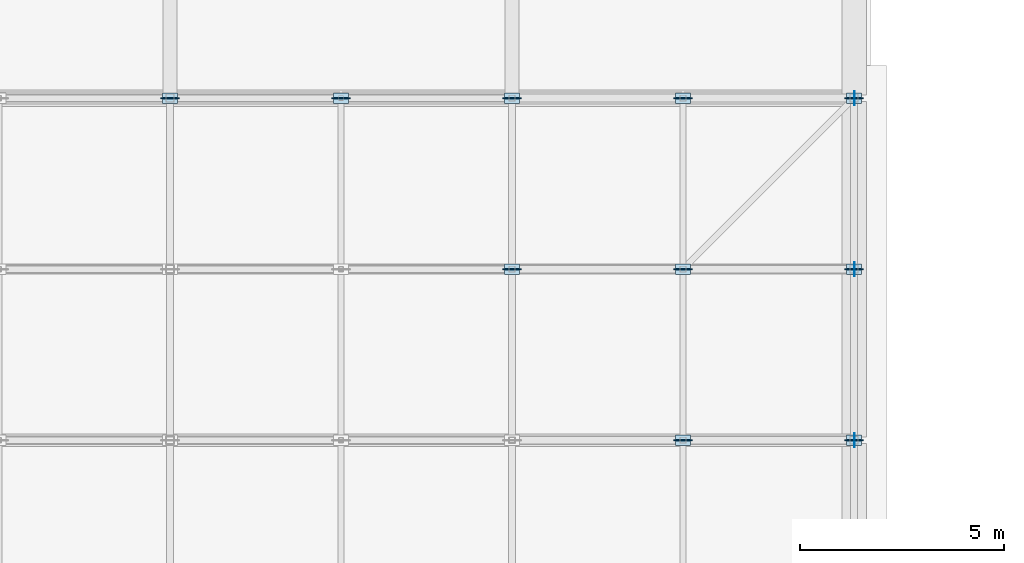
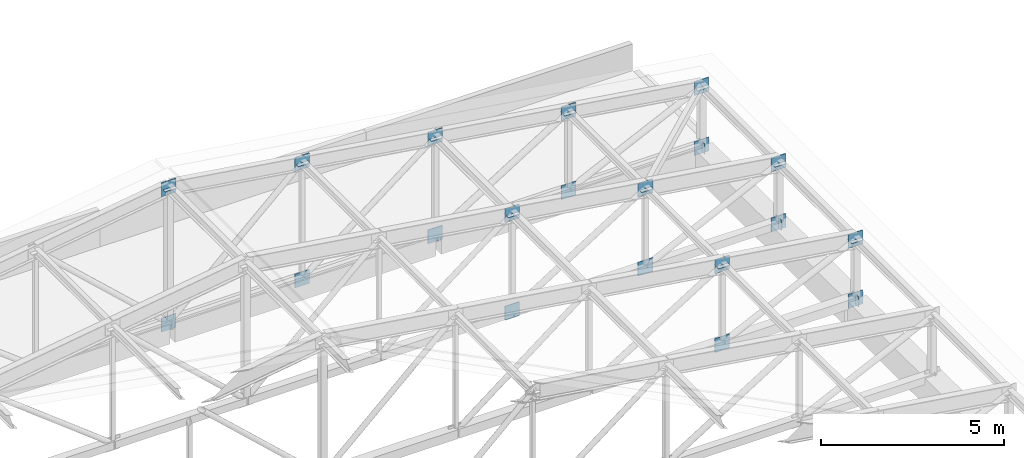
# One storey, part 52 of 122: 33 plates.
"""IFC4 building model written with IfcOpenShell, lengths in metres."""

from ifc_helpers import new_model, si_unit, direction, frame, origin, origin_2d, place, context, subcontext, project, spatial, rectangle, extrude, material, layer, layer_set, type_object, element, save


model = new_model("IFC4")

# Units and contexts
model_context = context("Model", 3, precision=1e-05, world=origin(), true_north=direction((0.0, 1.0)))
body_context = subcontext(model_context, "Body", "Model", "MODEL_VIEW")
ifc_project = project(units=[si_unit("LENGTHUNIT", "METRE"), si_unit("AREAUNIT", "SQUARE_METRE"), si_unit("VOLUMEUNIT", "CUBIC_METRE"), si_unit("PLANEANGLEUNIT", "RADIAN"), si_unit("MASSUNIT", "GRAM", prefix="KILO")], contexts=[model_context])

# Site, building, storey
site_placement = place(None, origin())
site = spatial("IfcSite", under=ifc_project, at=site_placement, CompositionType="ELEMENT")
building_placement = place(site_placement, origin())
building = spatial("IfcBuilding", under=site, at=building_placement, Name="Telukmera Botanical Conservatory", CompositionType="ELEMENT")
storey_placement = place(building_placement, frame((0.0, 0.0, 10.199951171875)))
storey = spatial("IfcBuildingStorey", under=building, at=storey_placement, Name="L02", CompositionType="ELEMENT", Elevation=10.199951171875)

# Plates
ifc_material = material(Name="Steel S355", Category="steel")
ifc_layer_1 = layer(ifc_material, 0.01611328125)
ifc_layer_set_1 = layer_set([ifc_layer_1], Name="Steel S355")
plate_type_1 = type_object("IfcPlateType", Name="Plate_CP1", PredefinedType="USERDEFINED", material=ifc_layer_set_1)
for number, where, z_axis, x_axis, name in (
    (1, (37.800048828125, 108.39990234375, 2.521728515625), (0.0, 0.0, 1.0), (1.0, 0.0, 0.0), "CP1 Truss Chord Node Cap Plate T7-T7"),
    (2, (42.0, 108.39990234375, 1.89404296875), (0.0, 0.0, 1.0), (1.0, 0.0, 0.0), "CP1 Truss Chord Node Cap Plate T7-T8"),
):
    element("IfcPlate", number, at=place(storey_placement, frame(where, z_axis=z_axis, x_axis=x_axis)), inside=storey, type_object=plate_type_1, Name=name, ObjectType="CAP_PLATE", PredefinedType="USERDEFINED", context=body_context, shape_type="SweptSolid", body=[
        extrude(rectangle(XDim=0.360107421875, YDim=0.260009765625, at=origin_2d()), origin(), (0.0, 0.0, 1.0), 0.01611328125),
    ])
plate_1_placement = place(storey_placement, frame((42.008056640625, 108.39990234375, -0.25), z_axis=(0.0, 0.0, 1.0), x_axis=(1.0, 0.0, 0.0)))
element("IfcPlate", 3, at=plate_1_placement, inside=storey, type_object=plate_type_1, Name="CP1 Truss Bottom Chord End Cap T7-E", ObjectType="CAP_PLATE", PredefinedType="USERDEFINED", context=body_context, shape_type="SweptSolid", body=[
    extrude(rectangle(XDim=0.01611328125, YDim=0.340087890625, at=origin_2d()), origin(), (0.0, 0.0, 1.0), 0.340087890625),
])
for number, where, z_axis, x_axis, name in (
    (4, (33.60009765625, 112.60009765625, 3.1494140625), (0.0, 0.0, 1.0), (1.0, 0.0, 0.0), "CP1 Truss Chord Node Cap Plate T8-T6"),
    (5, (37.800048828125, 112.60009765625, 2.521728515625), (0.0, 0.0, 1.0), (1.0, 0.0, 0.0), "CP1 Truss Chord Node Cap Plate T8-T7"),
    (6, (42.0, 112.60009765625, 1.89404296875), (0.0, 0.0, 1.0), (1.0, 0.0, 0.0), "CP1 Truss Chord Node Cap Plate T8-T8"),
):
    element("IfcPlate", number, at=place(storey_placement, frame(where, z_axis=z_axis, x_axis=x_axis)), inside=storey, type_object=plate_type_1, Name=name, ObjectType="CAP_PLATE", PredefinedType="USERDEFINED", context=body_context, shape_type="SweptSolid", body=[
        extrude(rectangle(XDim=0.360107421875, YDim=0.260009765625, at=origin_2d()), origin(), (0.0, 0.0, 1.0), 0.01611328125),
    ])
plate_2_placement = place(storey_placement, frame((42.008056640625, 112.60009765625, -0.25), z_axis=(0.0, 0.0, 1.0), x_axis=(1.0, 0.0, 0.0)))
element("IfcPlate", 7, at=plate_2_placement, inside=storey, type_object=plate_type_1, Name="CP1 Truss Bottom Chord End Cap T8-E", ObjectType="CAP_PLATE", PredefinedType="USERDEFINED", context=body_context, shape_type="SweptSolid", body=[
    extrude(rectangle(XDim=0.01611328125, YDim=0.340087890625, at=origin_2d()), origin(), (0.0, 0.0, 1.0), 0.340087890625),
])
for number, where, z_axis, x_axis, name in (
    (8, (25.199951171875, 116.800048828125, 4.40478515625), (0.0, 0.0, 1.0), (1.0, 0.0, 0.0), "CP1 Truss Chord Node Cap Plate T9-T4"),
    (9, (29.39990234375, 116.800048828125, 3.777099609375), (0.0, 0.0, 1.0), (1.0, 0.0, 0.0), "CP1 Truss Chord Node Cap Plate T9-T5"),
    (10, (33.60009765625, 116.800048828125, 3.1494140625), (0.0, 0.0, 1.0), (1.0, 0.0, 0.0), "CP1 Truss Chord Node Cap Plate T9-T6"),
    (11, (37.800048828125, 116.800048828125, 2.521728515625), (0.0, 0.0, 1.0), (1.0, 0.0, 0.0), "CP1 Truss Chord Node Cap Plate T9-T7"),
    (12, (42.0, 116.800048828125, 1.89404296875), (0.0, 0.0, 1.0), (1.0, 0.0, 0.0), "CP1 Truss Chord Node Cap Plate T9-T8"),
):
    element("IfcPlate", number, at=place(storey_placement, frame(where, z_axis=z_axis, x_axis=x_axis)), inside=storey, type_object=plate_type_1, Name=name, ObjectType="CAP_PLATE", PredefinedType="USERDEFINED", context=body_context, shape_type="SweptSolid", body=[
        extrude(rectangle(XDim=0.360107421875, YDim=0.260009765625, at=origin_2d()), origin(), (0.0, 0.0, 1.0), 0.01611328125),
    ])
plate_3_placement = place(storey_placement, frame((42.008056640625, 116.800048828125, -0.25), z_axis=(0.0, 0.0, 1.0), x_axis=(1.0, 0.0, 0.0)))
element("IfcPlate", 13, at=plate_3_placement, inside=storey, type_object=plate_type_1, Name="CP1 Truss Bottom Chord End Cap T9-E", ObjectType="CAP_PLATE", PredefinedType="USERDEFINED", context=body_context, shape_type="SweptSolid", body=[
    extrude(rectangle(XDim=0.01611328125, YDim=0.340087890625, at=origin_2d()), origin(), (0.0, 0.0, 1.0), 0.340087890625),
])
ifc_layer_2 = layer(ifc_material, 0.028076171875)
ifc_layer_set_2 = layer_set([ifc_layer_2], Name="Steel S355")
plate_type_2 = type_object("IfcPlateType", Name="Plate_TP1", PredefinedType="USERDEFINED", material=ifc_layer_set_2)
for number, where, z_axis, x_axis, name in (
    (14, (37.800048828125, 108.39990234375, -0.309814453125), (0.0, 0.0, 1.0), (1.0, 0.0, 0.0), "TP1 Auditorium Truss Welded Node T7-B7"),
    (15, (37.800048828125, 108.39990234375, 2.31787109375), (0.0, 0.0, 1.0), (1.0, 0.0, 0.0), "TP1 Auditorium Truss Welded Node T7-T7"),
    (16, (42.0, 108.39990234375, -0.309814453125), (0.0, 0.0, 1.0), (1.0, 0.0, 0.0), "TP1 Auditorium Truss Welded Node T7-B8"),
    (17, (42.0, 108.39990234375, 1.690185546875), (0.0, 0.0, 1.0), (1.0, 0.0, 0.0), "TP1 Auditorium Truss Welded Node T7-T8"),
    (18, (33.60009765625, 112.60009765625, -0.309814453125), (0.0, 0.0, 1.0), (1.0, 0.0, 0.0), "TP1 Auditorium Truss Welded Node T8-B6"),
    (19, (33.60009765625, 112.60009765625, 2.945556640625), (0.0, 0.0, 1.0), (1.0, 0.0, 0.0), "TP1 Auditorium Truss Welded Node T8-T6"),
    (20, (37.800048828125, 112.60009765625, -0.309814453125), (0.0, 0.0, 1.0), (1.0, 0.0, 0.0), "TP1 Auditorium Truss Welded Node T8-B7"),
    (21, (37.800048828125, 112.60009765625, 2.31787109375), (0.0, 0.0, 1.0), (1.0, 0.0, 0.0), "TP1 Auditorium Truss Welded Node T8-T7"),
    (22, (42.0, 112.60009765625, -0.309814453125), (0.0, 0.0, 1.0), (1.0, 0.0, 0.0), "TP1 Auditorium Truss Welded Node T8-B8"),
    (23, (42.0, 112.60009765625, 1.690185546875), (0.0, 0.0, 1.0), (1.0, 0.0, 0.0), "TP1 Auditorium Truss Welded Node T8-T8"),
    (24, (25.199951171875, 116.800048828125, -0.309814453125), (0.0, 0.0, 1.0), (1.0, 0.0, 0.0), "TP1 Auditorium Truss Welded Node T9-B4"),
    (25, (25.199951171875, 116.800048828125, 4.200927734375), (0.0, 0.0, 1.0), (1.0, 0.0, 0.0), "TP1 Auditorium Truss Welded Node T9-T4"),
    (26, (29.39990234375, 116.800048828125, -0.309814453125), (0.0, 0.0, 1.0), (1.0, 0.0, 0.0), "TP1 Auditorium Truss Welded Node T9-B5"),
    (27, (29.39990234375, 116.800048828125, 3.5732421875), (0.0, 0.0, 1.0), (1.0, 0.0, 0.0), "TP1 Auditorium Truss Welded Node T9-T5"),
    (28, (33.60009765625, 116.800048828125, -0.309814453125), (0.0, 0.0, 1.0), (1.0, 0.0, 0.0), "TP1 Auditorium Truss Welded Node T9-B6"),
    (29, (33.60009765625, 116.800048828125, 2.945556640625), (0.0, 0.0, 1.0), (1.0, 0.0, 0.0), "TP1 Auditorium Truss Welded Node T9-T6"),
    (30, (37.800048828125, 116.800048828125, -0.309814453125), (0.0, 0.0, 1.0), (1.0, 0.0, 0.0), "TP1 Auditorium Truss Welded Node T9-B7"),
    (31, (37.800048828125, 116.800048828125, 2.31787109375), (0.0, 0.0, 1.0), (1.0, 0.0, 0.0), "TP1 Auditorium Truss Welded Node T9-T7"),
    (32, (42.0, 116.800048828125, -0.309814453125), (0.0, 0.0, 1.0), (1.0, 0.0, 0.0), "TP1 Auditorium Truss Welded Node T9-B8"),
    (33, (42.0, 116.800048828125, 1.690185546875), (0.0, 0.0, 1.0), (1.0, 0.0, 0.0), "TP1 Auditorium Truss Welded Node T9-T8"),
):
    element("IfcPlate", number, at=place(storey_placement, frame(where, z_axis=z_axis, x_axis=x_axis)), inside=storey, type_object=plate_type_2, Name=name, ObjectType="GUSSET_PLATE", PredefinedType="USERDEFINED", context=body_context, shape_type="SweptSolid", body=[
        extrude(rectangle(XDim=0.4599609375, YDim=0.028076171875, at=origin_2d()), origin(), (0.0, 0.0, 1.0), 0.4599609375),
    ])

save(model, "model.ifc")
